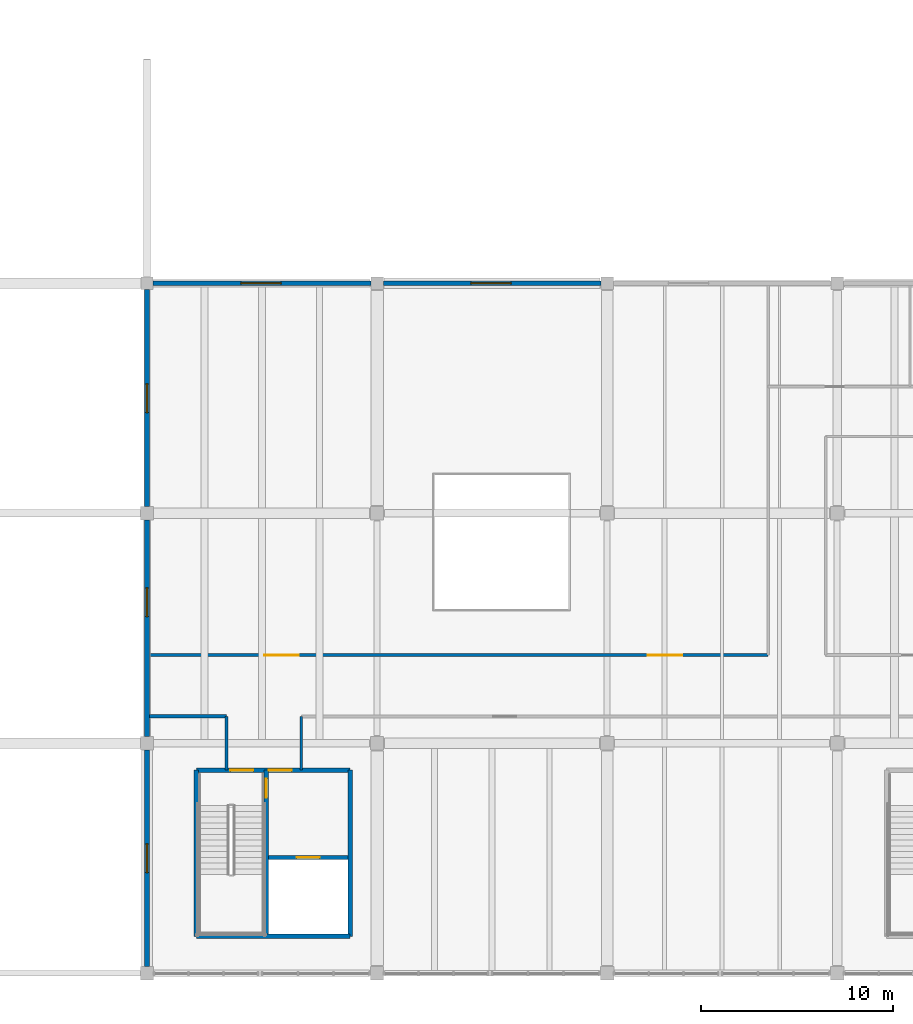
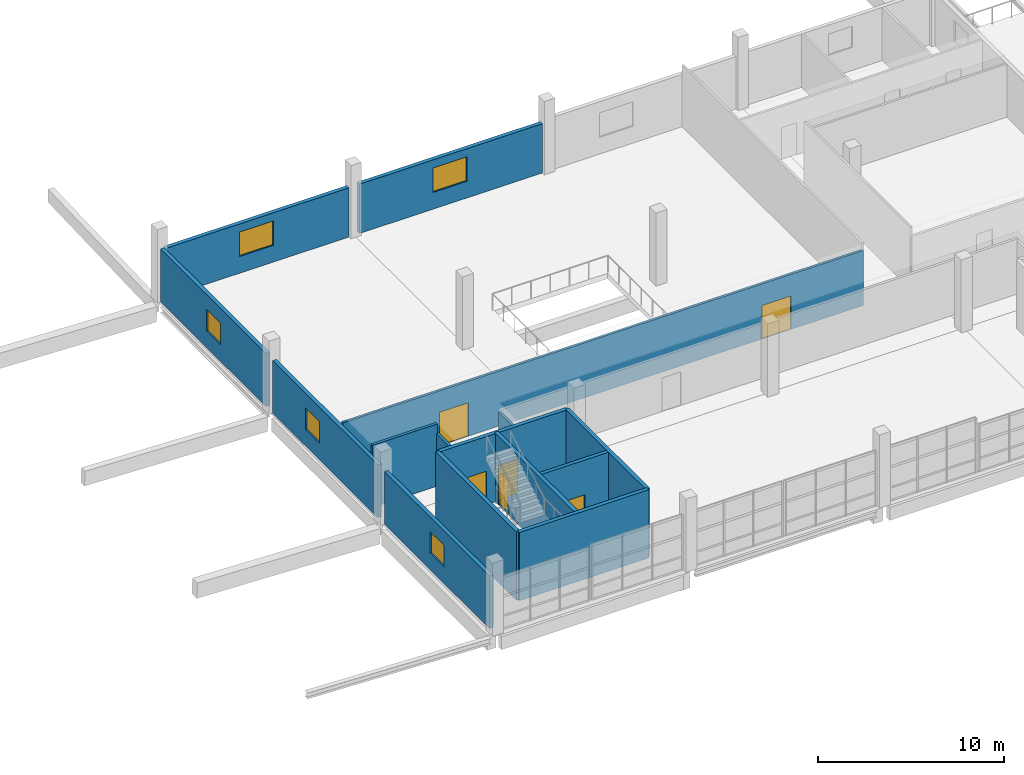
# One storey, part 38 of 49: 15 walls, 6 doors, 5 windows, 11 openings.
"""IFC4 building model written with IfcOpenShell, lengths in metres."""

from ifc_helpers import new_model, si_unit, direction, frame, frame_2d, origin, place, context, subcontext, project, spatial, rectangle, extrude, material, layer, layer_set, type_object, element, fill, save


model = new_model("IFC4")

# Units and contexts
model_context = context("Model", 3, precision=1e-05, world=origin(), true_north=direction((0.0, 1.0)))
body_context = subcontext(model_context, "Body", "Model", "MODEL_VIEW")
ifc_project = project(units=[si_unit("LENGTHUNIT", "METRE"), si_unit("AREAUNIT", "SQUARE_METRE"), si_unit("VOLUMEUNIT", "CUBIC_METRE"), si_unit("PLANEANGLEUNIT", "RADIAN"), si_unit("MASSUNIT", "GRAM", prefix="KILO")], contexts=[model_context])

# Site, building, storey
site_placement = place(None, origin())
site = spatial("IfcSite", under=ifc_project, at=site_placement, CompositionType="ELEMENT")
building_placement = place(site_placement, origin())
building = spatial("IfcBuilding", under=site, at=building_placement, Name="Kamomehara Wholesale Market", CompositionType="ELEMENT")
storey_placement = place(building_placement, frame((0.0, 0.0, 11.39990234375)))
storey = spatial("IfcBuildingStorey", under=building, at=storey_placement, Name="L02", CompositionType="ELEMENT", Elevation=11.39990234375)

# Wall, opening, window
ifc_material_1 = material(Name="Precast concrete Fc45 (C40/50)", Category="concrete")
ifc_layer_1 = layer(ifc_material_1, 0.239990234375)
ifc_layer_set_1 = layer_set([ifc_layer_1], Name="Precast concrete Fc45 (C40/50)")
wall_type_1 = type_object("IfcWallType", Name="EW-PC-240", PredefinedType="SOLIDWALL", material=ifc_layer_set_1)
wall_1_placement = place(storey_placement, frame((108.324951171875, 48.0, 0.0), z_axis=(0.0, 0.0, 1.0), x_axis=(1.0, 0.0, 0.0)))
wall_1 = element("IfcWall", 1, at=wall_1_placement, inside=storey, type_object=wall_type_1, Name="Exterior wall EW-PC-240 108", PredefinedType="SOLIDWALL", context=body_context, shape_type="SweptSolid", body=[
    extrude(rectangle(XDim=11.35009765625, YDim=0.239990234375, at=frame_2d((5.675048828125, 0.0))), origin(), (0.0, 0.0, 1.0), 3.233154296875),
])
opening_1_placement = place(wall_1_placement, frame((4.574951171875, 0.0, 1.10009765625)))
opening_1 = element("IfcOpeningElement", 2, at=opening_1_placement, cuts=wall_1, Name="Opening WN-L02-025", PredefinedType="OPENING", context=body_context, shape_type="SweptSolid", body=[
    extrude(rectangle(XDim=2.10009765625, YDim=1.60009765625, at=frame_2d((1.050048828125, 0.800048828125))), frame((0.0, 0.134765625, 0.0), z_axis=(0.0, -1.0, 0.0), x_axis=(1.0, 0.0, 0.0)), (0.0, 0.0, 1.0), 0.269775390625),
])
ifc_material_2 = material(Name="Solar-control Low-E double glazing", Category="glass")
window_type_1 = type_object("IfcWindowType", Name="WIN-2100x1600", PartitioningType="SINGLE_PANEL", PredefinedType="WINDOW", material=ifc_material_2)
window_1_placement = place(opening_1_placement, origin())
window_1 = element("IfcWindow", 3, at=window_1_placement, inside=storey, type_object=window_type_1, Name="Exterior window WN-L02-025", OverallHeight=1.60009765625, OverallWidth=2.10009765625, PartitioningType="SINGLE_PANEL", PredefinedType="WINDOW", context=body_context, shape_type="SweptSolid", body=[
    extrude(rectangle(XDim=2.10009765625, YDim=1.60009765625, at=frame_2d((1.050048828125, 0.800048828125))), frame((0.0, 0.030029296875, 0.0), z_axis=(0.0, -1.0, 0.0), x_axis=(1.0, 0.0, 0.0)), (0.0, 0.0, 1.0), 0.06005859375),
])
fill(opening_1, window_1)

wall_2_placement = place(storey_placement, frame((120.324951171875, 48.0, 0.0), z_axis=(0.0, 0.0, 1.0), x_axis=(1.0, 0.0, 0.0)))
wall_2 = element("IfcWall", 4, at=wall_2_placement, inside=storey, type_object=wall_type_1, Name="Exterior wall EW-PC-240 109", PredefinedType="SOLIDWALL", context=body_context, shape_type="SweptSolid", body=[
    extrude(rectangle(XDim=11.35009765625, YDim=0.239990234375, at=frame_2d((5.675048828125, 0.0))), origin(), (0.0, 0.0, 1.0), 3.233154296875),
])
opening_2_placement = place(wall_2_placement, frame((4.574951171875, 0.0, 1.10009765625)))
opening_2 = element("IfcOpeningElement", 5, at=opening_2_placement, cuts=wall_2, Name="Opening WN-L02-026", PredefinedType="OPENING", context=body_context, shape_type="SweptSolid", body=[
    extrude(rectangle(XDim=2.10009765625, YDim=1.60009765625, at=frame_2d((1.050048828125, 0.800048828125))), frame((0.0, 0.134765625, 0.0), z_axis=(0.0, -1.0, 0.0), x_axis=(1.0, 0.0, 0.0)), (0.0, 0.0, 1.0), 0.269775390625),
])
window_2_placement = place(opening_2_placement, origin())
window_2 = element("IfcWindow", 6, at=window_2_placement, inside=storey, type_object=window_type_1, Name="Exterior window WN-L02-026", OverallHeight=1.60009765625, OverallWidth=2.10009765625, PartitioningType="SINGLE_PANEL", PredefinedType="WINDOW", context=body_context, shape_type="SweptSolid", body=[
    extrude(rectangle(XDim=2.10009765625, YDim=1.60009765625, at=frame_2d((1.050048828125, 0.800048828125))), frame((0.0, 0.030029296875, 0.0), z_axis=(0.0, -1.0, 0.0), x_axis=(1.0, 0.0, 0.0)), (0.0, 0.0, 1.0), 0.06005859375),
])
fill(opening_2, window_2)

wall_3_placement = place(storey_placement, frame((108.0, 12.35009765625, 0.0), z_axis=(0.0, 0.0, 1.0), x_axis=(0.0, 1.0, 0.0)))
wall_3 = element("IfcWall", 7, at=wall_3_placement, inside=storey, type_object=wall_type_1, Name="Exterior wall EW-PC-240 115", PredefinedType="SOLIDWALL", context=body_context, shape_type="SweptSolid", body=[
    extrude(rectangle(XDim=11.2998046875, YDim=0.239990234375, at=frame_2d((5.64990234375, 0.0))), origin(), (0.0, 0.0, 1.0), 3.4580078125),
])
opening_3_placement = place(wall_3_placement, frame((4.89990234375, 0.0, 1.10009765625)))
opening_3 = element("IfcOpeningElement", 8, at=opening_3_placement, cuts=wall_3, Name="Opening WN-L02-031", PredefinedType="OPENING", context=body_context, shape_type="SweptSolid", body=[
    extrude(rectangle(XDim=1.5, YDim=1.39990234375, at=frame_2d((0.75, 0.699951171875))), frame((0.0, 0.134765625, 0.0), z_axis=(0.0, -1.0, 0.0), x_axis=(1.0, 0.0, 0.0)), (0.0, 0.0, 1.0), 0.269775390625),
])
ifc_material_3 = material(Name="Solar-control Low-E double glazing", Category="glass")
window_type_2 = type_object("IfcWindowType", Name="WIN-1500x1400", PartitioningType="SINGLE_PANEL", PredefinedType="WINDOW", material=ifc_material_3)
window_3_placement = place(opening_3_placement, origin())
window_3 = element("IfcWindow", 9, at=window_3_placement, inside=storey, type_object=window_type_2, Name="Exterior window WN-L02-031", OverallHeight=1.39990234375, OverallWidth=1.5, PartitioningType="SINGLE_PANEL", PredefinedType="WINDOW", context=body_context, shape_type="SweptSolid", body=[
    extrude(rectangle(XDim=1.5, YDim=1.39990234375, at=frame_2d((0.75, 0.699951171875))), frame((0.0, 0.030029296875, 0.0), z_axis=(0.0, -1.0, 0.0), x_axis=(1.0, 0.0, 0.0)), (0.0, 0.0, 1.0), 0.06005859375),
])
fill(opening_3, window_3)

wall_4_placement = place(storey_placement, frame((108.0, 24.35009765625, 0.0), z_axis=(0.0, 0.0, 1.0), x_axis=(0.0, 1.0, 0.0)))
wall_4 = element("IfcWall", 10, at=wall_4_placement, inside=storey, type_object=wall_type_1, Name="Exterior wall EW-PC-240 116", PredefinedType="SOLIDWALL", context=body_context, shape_type="SweptSolid", body=[
    extrude(rectangle(XDim=11.2998046875, YDim=0.239990234375, at=frame_2d((5.64990234375, 0.0))), origin(), (0.0, 0.0, 1.0), 3.4580078125),
])
opening_4_placement = place(wall_4_placement, frame((6.25, 0.0, 1.10009765625)))
opening_4 = element("IfcOpeningElement", 11, at=opening_4_placement, cuts=wall_4, Name="Opening WN-L02-032", PredefinedType="OPENING", context=body_context, shape_type="SweptSolid", body=[
    extrude(rectangle(XDim=1.5, YDim=1.39990234375, at=frame_2d((0.75, 0.699951171875))), frame((0.0, 0.134765625, 0.0), z_axis=(0.0, -1.0, 0.0), x_axis=(1.0, 0.0, 0.0)), (0.0, 0.0, 1.0), 0.269775390625),
])
window_4_placement = place(opening_4_placement, origin())
window_4 = element("IfcWindow", 12, at=window_4_placement, inside=storey, type_object=window_type_2, Name="Exterior window WN-L02-032", OverallHeight=1.39990234375, OverallWidth=1.5, PartitioningType="SINGLE_PANEL", PredefinedType="WINDOW", context=body_context, shape_type="SweptSolid", body=[
    extrude(rectangle(XDim=1.5, YDim=1.39990234375, at=frame_2d((0.75, 0.699951171875))), frame((0.0, 0.030029296875, 0.0), z_axis=(0.0, -1.0, 0.0), x_axis=(1.0, 0.0, 0.0)), (0.0, 0.0, 1.0), 0.06005859375),
])
fill(opening_4, window_4)

wall_5_placement = place(storey_placement, frame((108.0, 36.35009765625, 0.0), z_axis=(0.0, 0.0, 1.0), x_axis=(0.0, 1.0, 0.0)))
wall_5 = element("IfcWall", 13, at=wall_5_placement, inside=storey, type_object=wall_type_1, Name="Exterior wall EW-PC-240 117", PredefinedType="SOLIDWALL", context=body_context, shape_type="SweptSolid", body=[
    extrude(rectangle(XDim=11.324951171875, YDim=0.239990234375, at=frame_2d((5.66259765625, 0.0))), origin(), (0.0, 0.0, 1.0), 3.483154296875),
])
opening_5_placement = place(wall_5_placement, frame((4.89990234375, 0.0, 1.10009765625)))
opening_5 = element("IfcOpeningElement", 14, at=opening_5_placement, cuts=wall_5, Name="Opening WN-L02-033", PredefinedType="OPENING", context=body_context, shape_type="SweptSolid", body=[
    extrude(rectangle(XDim=1.5, YDim=1.39990234375, at=frame_2d((0.75, 0.699951171875))), frame((0.0, 0.134765625, 0.0), z_axis=(0.0, -1.0, 0.0), x_axis=(1.0, 0.0, 0.0)), (0.0, 0.0, 1.0), 0.269775390625),
])
window_5_placement = place(opening_5_placement, origin())
window_5 = element("IfcWindow", 15, at=window_5_placement, inside=storey, type_object=window_type_2, Name="Exterior window WN-L02-033", OverallHeight=1.39990234375, OverallWidth=1.5, PartitioningType="SINGLE_PANEL", PredefinedType="WINDOW", context=body_context, shape_type="SweptSolid", body=[
    extrude(rectangle(XDim=1.5, YDim=1.39990234375, at=frame_2d((0.75, 0.699951171875))), frame((0.0, 0.030029296875, 0.0), z_axis=(0.0, -1.0, 0.0), x_axis=(1.0, 0.0, 0.0)), (0.0, 0.0, 1.0), 0.06005859375),
])
fill(opening_5, window_5)

# Walls
ifc_material_4 = material(Name="Gypsum board partition")
ifc_layer_2 = layer(ifc_material_4, 0.14990234375)
ifc_layer_set_2 = layer_set([ifc_layer_2], Name="Gypsum board partition")
wall_type_2 = type_object("IfcWallType", Name="IW-PRT-150", PredefinedType="PARTITIONING", material=ifc_layer_set_2)
for number, where, z_axis, x_axis, name in (
    (16, (112.14990234375, 22.60009765625, 0.0), (0.0, 0.0, 1.0), (0.0, 1.0, 0.0), "Interior wall IW-PRT-150 354"),
    (17, (116.050048828125, 22.60009765625, 0.0), (0.0, 0.0, 1.0), (0.0, 1.0, 0.0), "Interior wall IW-PRT-150 355"),
):
    element("IfcWall", number, at=place(storey_placement, frame(where, z_axis=z_axis, x_axis=x_axis)), inside=storey, type_object=wall_type_2, Name=name, PredefinedType="PARTITIONING", context=body_context, shape_type="SweptSolid", body=[
        extrude(rectangle(XDim=2.7998046875, YDim=0.14990234375, at=frame_2d((1.39990234375, 0.0))), origin(), (0.0, 0.0, 1.0), 3.463134765625),
    ])

# Wall, openings, doors
wall_6_placement = place(storey_placement, frame((108.1201171875, 28.60009765625, 0.0), z_axis=(0.0, 0.0, 1.0), x_axis=(1.0, 0.0, 0.0)))
wall_6 = element("IfcWall", 18, at=wall_6_placement, inside=storey, type_object=wall_type_2, Name="Interior wall IW-PRT-150 360", PredefinedType="PARTITIONING", context=body_context, shape_type="SweptSolid", body=[
    extrude(rectangle(XDim=32.27978515625, YDim=0.14990234375, at=frame_2d((16.139892578125, 0.0))), origin(), (0.0, 0.0, 1.0), 3.60302734375),
])
opening_6_placement = place(wall_6_placement, frame((6.0, 0.0, 0.0)))
opening_6 = element("IfcOpeningElement", 19, at=opening_6_placement, cuts=wall_6, Name="Opening ID-L02-222", PredefinedType="OPENING", context=body_context, shape_type="SweptSolid", body=[
    extrude(rectangle(XDim=1.800048828125, YDim=2.199951171875, at=frame_2d((0.89990234375, 1.10009765625))), frame((0.0, 0.08984375, 0.0), z_axis=(0.0, -1.0, 0.0), x_axis=(1.0, 0.0, 0.0)), (0.0, 0.0, 1.0), 0.1796875),
])
opening_7_placement = place(wall_6_placement, frame((26.0, 0.0, 0.0)))
opening_7 = element("IfcOpeningElement", 20, at=opening_7_placement, cuts=wall_6, Name="Opening ID-L02-223", PredefinedType="OPENING", context=body_context, shape_type="SweptSolid", body=[
    extrude(rectangle(XDim=1.800048828125, YDim=2.199951171875, at=frame_2d((0.89990234375, 1.10009765625))), frame((0.0, 0.08984375, 0.0), z_axis=(0.0, -1.0, 0.0), x_axis=(1.0, 0.0, 0.0)), (0.0, 0.0, 1.0), 0.1796875),
])
ifc_material_5 = material(Name="Steel SN400B", Category="steel")
door_type_1 = type_object("IfcDoorType", Name="IDR-FD-1800x2200", OperationType="NOTDEFINED", PredefinedType="DOOR", material=ifc_material_5)
door_1_placement = place(opening_6_placement, origin())
door_1 = element("IfcDoor", 21, at=door_1_placement, inside=storey, type_object=door_type_1, Name="Interior door ID-L02-222", OperationType="SINGLE_SWING_RIGHT", OverallHeight=2.199951171875, OverallWidth=1.800048828125, PredefinedType="DOOR", context=body_context, shape_type="SweptSolid", body=[
    extrude(rectangle(XDim=1.800048828125, YDim=2.199951171875, at=frame_2d((0.89990234375, 1.10009765625))), frame((0.0, 0.02490234375, 0.0), z_axis=(0.0, -1.0, 0.0), x_axis=(1.0, 0.0, 0.0)), (0.0, 0.0, 1.0), 0.050048828125),
])
fill(opening_6, door_1)
door_2_placement = place(opening_7_placement, origin())
door_2 = element("IfcDoor", 22, at=door_2_placement, inside=storey, type_object=door_type_1, Name="Interior door ID-L02-223", OperationType="SINGLE_SWING_LEFT", OverallHeight=2.199951171875, OverallWidth=1.800048828125, PredefinedType="DOOR", context=body_context, shape_type="SweptSolid", body=[
    extrude(rectangle(XDim=1.800048828125, YDim=2.199951171875, at=frame_2d((0.89990234375, 1.10009765625))), frame((0.0, 0.02490234375, 0.0), z_axis=(0.0, -1.0, 0.0), x_axis=(1.0, 0.0, 0.0)), (0.0, 0.0, 1.0), 0.050048828125),
])
fill(opening_7, door_2)

# Wall
ifc_material_6 = material(Name="Gypsum board partition")
ifc_layer_3 = layer(ifc_material_6, 0.175048828125)
ifc_layer_set_3 = layer_set([ifc_layer_3], Name="Gypsum board partition")
wall_type_3 = type_object("IfcWallType", Name="IW-PRT-175", PredefinedType="PARTITIONING", material=ifc_layer_set_3)
wall_7_placement = place(storey_placement, frame((108.1201171875, 25.39990234375, 0.0), z_axis=(0.0, 0.0, 1.0), x_axis=(1.0, 0.0, 0.0)))
element("IfcWall", 23, at=wall_7_placement, inside=storey, type_object=wall_type_3, Name="Interior wall IW-PRT-175 353", PredefinedType="PARTITIONING", context=body_context, shape_type="SweptSolid", body=[
    extrude(rectangle(XDim=4.02978515625, YDim=0.175048828125, at=frame_2d((2.014892578125, 0.0))), origin(), (0.0, 0.0, 1.0), 4.0830078125),
])

# Wall, opening, door
ifc_material_7 = material(Name="Concrete Fc36 (C35/45)", Category="concrete")
ifc_layer_4 = layer(ifc_material_7, 0.219970703125)
ifc_layer_set_4 = layer_set([ifc_layer_4], Name="Concrete Fc36 (C35/45)")
wall_type_4 = type_object("IfcWallType", Name="IW-SHR-220", PredefinedType="SHEAR", material=ifc_layer_set_4)
wall_8_placement = place(storey_placement, frame((114.340087890625, 18.0400390625, 0.0), z_axis=(0.0, 0.0, 1.0), x_axis=(1.0, 0.0, 0.0)))
wall_8 = element("IfcWall", 24, at=wall_8_placement, inside=storey, type_object=wall_type_4, Name="Interior wall IW-SHR-220 102", PredefinedType="SHEAR", context=body_context, shape_type="SweptSolid", body=[
    extrude(rectangle(XDim=4.139892578125, YDim=0.219970703125, at=frame_2d((2.06982421875, 0.0))), origin(), (0.0, 0.0, 1.0), 4.47998046875),
])
opening_8_placement = place(wall_8_placement, frame((1.469970703125, 0.0, 0.0)))
opening_8 = element("IfcOpeningElement", 25, at=opening_8_placement, cuts=wall_8, Name="Opening LD-LP-03-L02", PredefinedType="OPENING", context=body_context, shape_type="SweptSolid", body=[
    extrude(rectangle(XDim=1.199951171875, YDim=2.199951171875, at=frame_2d((0.60009765625, 1.10009765625))), frame((0.0, 0.125, 0.0), z_axis=(0.0, -1.0, 0.0), x_axis=(1.0, 0.0, 0.0)), (0.0, 0.0, 1.0), 0.249755859375),
])
ifc_material_8 = material(Name="Steel SN400B", Category="steel")
door_type_2 = type_object("IfcDoorType", Name="LDR-PAX-1200x2200", OperationType="DOUBLE_DOOR_SLIDING", PredefinedType="DOOR", material=ifc_material_8)
door_3_placement = place(opening_8_placement, origin())
door_3 = element("IfcDoor", 26, at=door_3_placement, inside=storey, type_object=door_type_2, Name="Lift sliding landing door LD-LP-03-L02", OperationType="DOUBLE_DOOR_SLIDING", OverallHeight=2.199951171875, OverallWidth=1.199951171875, PredefinedType="DOOR", context=body_context, shape_type="SweptSolid", body=[
    extrude(rectangle(XDim=1.199951171875, YDim=2.199951171875, at=frame_2d((0.60009765625, 1.10009765625))), frame((0.0, 0.02490234375, 0.0), z_axis=(0.0, -1.0, 0.0), x_axis=(1.0, 0.0, 0.0)), (0.0, 0.0, 1.0), 0.050048828125),
])
fill(opening_8, door_3)

# Walls
ifc_material_9 = material(Name="Concrete Fc36 (C35/45)", Category="concrete")
ifc_layer_5 = layer(ifc_material_9, 0.239990234375)
ifc_layer_set_5 = layer_set([ifc_layer_5], Name="Concrete Fc36 (C35/45)")
wall_type_5 = type_object("IfcWallType", Name="IW-SHR-240", PredefinedType="SHEAR", material=ifc_layer_set_5)
wall_9_placement = place(storey_placement, frame((110.580078125, 22.60009765625, 0.0), z_axis=(0.0, 0.0, 1.0), x_axis=(0.0, -1.0, 0.0)))
element("IfcWall", 27, at=wall_9_placement, inside=storey, type_object=wall_type_5, Name="Interior wall IW-SHR-240 97", PredefinedType="SHEAR", context=body_context, shape_type="SweptSolid", body=[
    extrude(rectangle(XDim=8.670166015625, YDim=0.239990234375, at=frame_2d((4.3349609375, 0.0))), origin(), (0.0, 0.0, 1.0), 4.47998046875),
])
wall_10_placement = place(storey_placement, frame((110.580078125, 13.929931640625, 0.0), z_axis=(0.0, 0.0, 1.0), x_axis=(1.0, 0.0, 0.0)))
element("IfcWall", 28, at=wall_10_placement, inside=storey, type_object=wall_type_5, Name="Interior wall IW-SHR-240 98", PredefinedType="SHEAR", context=body_context, shape_type="SweptSolid", body=[
    extrude(rectangle(XDim=8.02001953125, YDim=0.239990234375, at=frame_2d((4.010009765625, 0.0))), origin(), (0.0, 0.0, 1.0), 4.47998046875),
])

# Wall, opening, door
wall_11_placement = place(storey_placement, frame((114.219970703125, 13.929931640625, 0.0), z_axis=(0.0, 0.0, 1.0), x_axis=(0.0, 1.0, 0.0)))
wall_11 = element("IfcWall", 29, at=wall_11_placement, inside=storey, type_object=wall_type_5, Name="Interior wall IW-SHR-240 99", PredefinedType="SHEAR", context=body_context, shape_type="SweptSolid", body=[
    extrude(rectangle(XDim=8.670166015625, YDim=0.239990234375, at=frame_2d((4.3349609375, 0.0))), origin(), (0.0, 0.0, 1.0), 4.47998046875),
])
opening_9_placement = place(wall_11_placement, frame((7.219970703125, 0.0, 0.0)))
opening_9 = element("IfcOpeningElement", 30, at=opening_9_placement, cuts=wall_11, Name="Opening FD-L02-C7I", PredefinedType="OPENING", context=body_context, shape_type="SweptSolid", body=[
    extrude(rectangle(XDim=1.0, YDim=2.199951171875, at=frame_2d((0.5, 1.10009765625))), frame((0.0, 0.134765625, 0.0), z_axis=(0.0, -1.0, 0.0), x_axis=(1.0, 0.0, 0.0)), (0.0, 0.0, 1.0), 0.269775390625),
])
ifc_material_10 = material(Name="Anodised aluminium 6063-T5", Category="aluminium")
door_type_3 = type_object("IfcDoorType", Name="IDR-RM-1000x2200", OperationType="NOTDEFINED", PredefinedType="DOOR", material=ifc_material_10)
door_4_placement = place(opening_9_placement, origin())
door_4 = element("IfcDoor", 31, at=door_4_placement, inside=storey, type_object=door_type_3, Name="Core lobby-stair fire door FD-L02-C7I", OperationType="SINGLE_SWING_LEFT", OverallHeight=2.199951171875, OverallWidth=1.0, PredefinedType="DOOR", context=body_context, shape_type="SweptSolid", body=[
    extrude(rectangle(XDim=1.0, YDim=2.199951171875, at=frame_2d((0.5, 1.10009765625))), frame((0.0, 0.02490234375, 0.0), z_axis=(0.0, -1.0, 0.0), x_axis=(1.0, 0.0, 0.0)), (0.0, 0.0, 1.0), 0.050048828125),
])
fill(opening_9, door_4)

# Wall
wall_12_placement = place(storey_placement, frame((118.60009765625, 13.929931640625, 0.0), z_axis=(0.0, 0.0, 1.0), x_axis=(0.0, 1.0, 0.0)))
element("IfcWall", 32, at=wall_12_placement, inside=storey, type_object=wall_type_5, Name="Interior wall IW-SHR-240 100", PredefinedType="SHEAR", context=body_context, shape_type="SweptSolid", body=[
    extrude(rectangle(XDim=8.670166015625, YDim=0.239990234375, at=frame_2d((4.3349609375, 0.0))), origin(), (0.0, 0.0, 1.0), 4.47998046875),
])

# Wall, openings, doors
wall_13_placement = place(storey_placement, frame((110.580078125, 22.60009765625, 0.0), z_axis=(0.0, 0.0, 1.0), x_axis=(1.0, 0.0, 0.0)))
wall_13 = element("IfcWall", 33, at=wall_13_placement, inside=storey, type_object=wall_type_5, Name="Interior wall IW-SHR-240 101", PredefinedType="SHEAR", context=body_context, shape_type="SweptSolid", body=[
    extrude(rectangle(XDim=8.02001953125, YDim=0.239990234375, at=frame_2d((4.010009765625, 0.0))), origin(), (0.0, 0.0, 1.0), 4.47998046875),
])
opening_10_placement = place(wall_13_placement, frame((1.77001953125, 0.0, 0.0)))
opening_10 = element("IfcOpeningElement", 34, at=opening_10_placement, cuts=wall_13, Name="Opening FD-L02-C7S", PredefinedType="OPENING", context=body_context, shape_type="SweptSolid", body=[
    extrude(rectangle(XDim=1.199951171875, YDim=2.199951171875, at=frame_2d((0.60009765625, 1.10009765625))), frame((0.0, 0.134765625, 0.0), z_axis=(0.0, -1.0, 0.0), x_axis=(1.0, 0.0, 0.0)), (0.0, 0.0, 1.0), 0.269775390625),
])
opening_11_placement = place(wall_13_placement, frame((3.77001953125, 0.0, 0.0)))
opening_11 = element("IfcOpeningElement", 35, at=opening_11_placement, cuts=wall_13, Name="Opening FD-L02-C7L", PredefinedType="OPENING", context=body_context, shape_type="SweptSolid", body=[
    extrude(rectangle(XDim=1.199951171875, YDim=2.199951171875, at=frame_2d((0.60009765625, 1.10009765625))), frame((0.0, 0.134765625, 0.0), z_axis=(0.0, -1.0, 0.0), x_axis=(1.0, 0.0, 0.0)), (0.0, 0.0, 1.0), 0.269775390625),
])
ifc_material_11 = material(Name="Steel SN400B", Category="steel")
door_type_4 = type_object("IfcDoorType", Name="IDR-FD-1200x2200", OperationType="NOTDEFINED", PredefinedType="DOOR", material=ifc_material_11)
door_5_placement = place(opening_10_placement, origin())
door_5 = element("IfcDoor", 36, at=door_5_placement, inside=storey, type_object=door_type_4, Name="Stair fire door FD-L02-C7S", OperationType="SINGLE_SWING_RIGHT", OverallHeight=2.199951171875, OverallWidth=1.199951171875, PredefinedType="DOOR", context=body_context, shape_type="SweptSolid", body=[
    extrude(rectangle(XDim=1.199951171875, YDim=2.199951171875, at=frame_2d((0.60009765625, 1.10009765625))), frame((0.0, 0.02490234375, 0.0), z_axis=(0.0, -1.0, 0.0), x_axis=(1.0, 0.0, 0.0)), (0.0, 0.0, 1.0), 0.050048828125),
])
fill(opening_10, door_5)
door_6_placement = place(opening_11_placement, origin())
door_6 = element("IfcDoor", 37, at=door_6_placement, inside=storey, type_object=door_type_4, Name="Lift lobby fire door FD-L02-C7L", OperationType="SINGLE_SWING_LEFT", OverallHeight=2.199951171875, OverallWidth=1.199951171875, PredefinedType="DOOR", context=body_context, shape_type="SweptSolid", body=[
    extrude(rectangle(XDim=1.199951171875, YDim=2.199951171875, at=frame_2d((0.60009765625, 1.10009765625))), frame((0.0, 0.02490234375, 0.0), z_axis=(0.0, -1.0, 0.0), x_axis=(1.0, 0.0, 0.0)), (0.0, 0.0, 1.0), 0.050048828125),
])
fill(opening_11, door_6)

save(model, "model.ifc")
